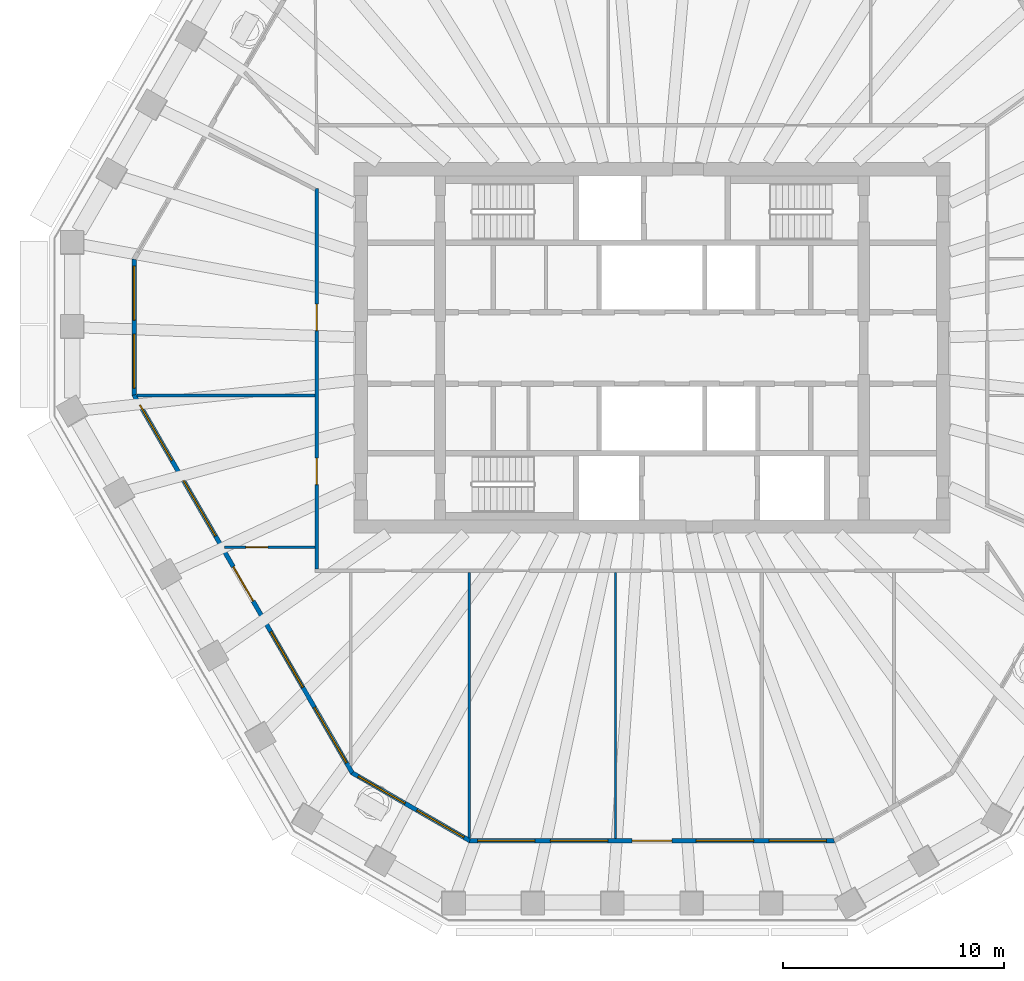
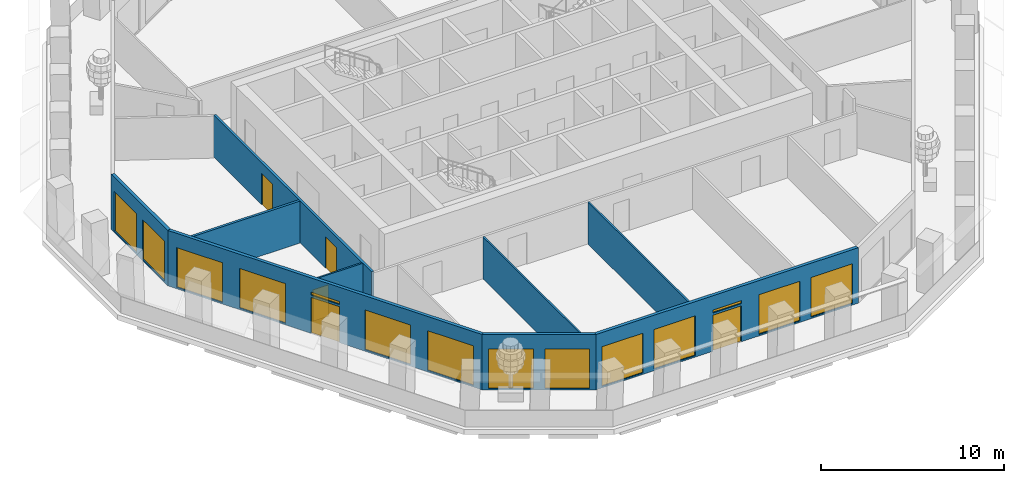
# One storey, part 3 of 12: 14 windows, 9 walls, 5 doors, 19 openings.
"""IFC4 building model written with IfcOpenShell, lengths in metres."""

from ifc_helpers import new_model, si_unit, direction, frame, frame_2d, origin, place, context, subcontext, project, spatial, polyline, rectangle, outline, extrude, material, layer, layer_set, type_object, element, fill, save


model = new_model("IFC4")

# Units and contexts
model_context = context("Model", 3, precision=1e-05, world=origin(), true_north=direction((0.0, 1.0)))
body_context = subcontext(model_context, "Body", "Model", "MODEL_VIEW")
ifc_project = project(units=[si_unit("LENGTHUNIT", "METRE"), si_unit("AREAUNIT", "SQUARE_METRE"), si_unit("VOLUMEUNIT", "CUBIC_METRE"), si_unit("PLANEANGLEUNIT", "RADIAN"), si_unit("MASSUNIT", "GRAM", prefix="KILO")], contexts=[model_context])

# Site, building, storey
site_placement = place(None, origin())
site = spatial("IfcSite", under=ifc_project, at=site_placement, CompositionType="ELEMENT")
building_placement = place(site_placement, origin())
building = spatial("IfcBuilding", under=site, at=building_placement, Name="Frailejon Research Tower", CompositionType="ELEMENT")
storey_placement = place(building_placement, frame((0.0, 0.0, 241.39990234375)))
storey = spatial("IfcBuildingStorey", under=building, at=storey_placement, Name="L52", CompositionType="ELEMENT", Elevation=241.39990234375)

# Wall, openings, doors
ifc_material_1 = material(Name="Gypsum board and masonry partition", Category="masonry")
ifc_layer_1 = layer(ifc_material_1, 0.14990234375)
ifc_layer_set_1 = layer_set([ifc_layer_1], Name="Corridor wall EI 60, gypsum on steel studs 150")
wall_type_1 = type_object("IfcWallType", Name="Corridor wall EI 60, gypsum on steel studs 150", PredefinedType="PARTITIONING", material=ifc_layer_set_1)
wall_1_placement = place(storey_placement, frame((-15.199951171875, -10.02490234375, 0.0), z_axis=(0.0, 0.0, 1.0), x_axis=(0.0, 1.0, 0.0)))
wall_1 = element("IfcWall", 1, at=wall_1_placement, inside=storey, type_object=wall_type_1, Name="T:IW:L52:006", PredefinedType="PARTITIONING", context=body_context, shape_type="SweptSolid", body=[
    extrude(rectangle(XDim=17.25, YDim=0.14990234375, at=frame_2d((8.625, 0.0))), origin(), (0.0, 0.0, 1.0), 2.800048828125),
])
opening_1_placement = place(wall_1_placement, frame((10.80810546875, 0.0, 0.0)))
opening_1 = element("IfcOpeningElement", 2, at=opening_1_placement, cuts=wall_1, Name="Opening D2027", PredefinedType="OPENING", context=body_context, shape_type="SweptSolid", body=[
    extrude(rectangle(XDim=1.199951171875, YDim=2.10009765625, at=frame_2d((0.60009765625, 1.050048828125))), frame((0.0, 0.0849609375, 0.0), z_axis=(0.0, -1.0, 0.0), x_axis=(1.0, 0.0, 0.0)), (0.0, 0.0, 1.0), 0.169921875),
])
opening_2_placement = place(wall_1_placement, frame((3.82861328125, 0.0, 0.0)))
opening_2 = element("IfcOpeningElement", 3, at=opening_2_placement, cuts=wall_1, Name="Opening D2028", PredefinedType="OPENING", context=body_context, shape_type="SweptSolid", body=[
    extrude(rectangle(XDim=1.199951171875, YDim=2.10009765625, at=frame_2d((0.60009765625, 1.050048828125))), frame((0.0, 0.0849609375, 0.0), z_axis=(0.0, -1.0, 0.0), x_axis=(1.0, 0.0, 0.0)), (0.0, 0.0, 1.0), 0.169921875),
])
ifc_material_2 = material(Name="Timber door leaf", Category="wood")
door_type_1 = type_object("IfcDoorType", Name="Door laboratory, timber, vision panel 1200", OperationType="NOTDEFINED", PredefinedType="DOOR", material=ifc_material_2)
door_1_placement = place(opening_1_placement, origin())
door_1 = element("IfcDoor", 4, at=door_1_placement, inside=storey, type_object=door_type_1, Name="D2027", OperationType="DOUBLE_DOOR_SINGLE_SWING", OverallHeight=2.10009765625, OverallWidth=1.199951171875, PredefinedType="DOOR", context=body_context, shape_type="SweptSolid", body=[
    extrude(rectangle(XDim=1.199951171875, YDim=2.10009765625, at=frame_2d((0.60009765625, 1.050048828125))), frame((0.0, 0.02490234375, 0.0), z_axis=(0.0, -1.0, 0.0), x_axis=(1.0, 0.0, 0.0)), (0.0, 0.0, 1.0), 0.050048828125),
])
fill(opening_1, door_1)
ifc_material_3 = material(Name="Timber door leaf", Category="wood")
door_type_2 = type_object("IfcDoorType", Name="Door single leaf, timber, steel frame 1200", OperationType="NOTDEFINED", PredefinedType="DOOR", material=ifc_material_3)
door_2_placement = place(opening_2_placement, origin())
door_2 = element("IfcDoor", 5, at=door_2_placement, inside=storey, type_object=door_type_2, Name="D2028", OperationType="DOUBLE_DOOR_SINGLE_SWING", OverallHeight=2.10009765625, OverallWidth=1.199951171875, PredefinedType="DOOR", context=body_context, shape_type="SweptSolid", body=[
    extrude(rectangle(XDim=1.199951171875, YDim=2.10009765625, at=frame_2d((0.60009765625, 1.050048828125))), frame((0.0, 0.02490234375, 0.0), z_axis=(0.0, -1.0, 0.0), x_axis=(1.0, 0.0, 0.0)), (0.0, 0.0, 1.0), 0.050048828125),
])
fill(opening_2, door_2)

# Wall
ifc_material_4 = material(Name="Gypsum board and masonry partition", Category="masonry")
ifc_layer_2 = layer(ifc_material_4, 0.14990234375)
ifc_layer_set_2 = layer_set([ifc_layer_2], Name="Laboratory partition, blockwork 150")
wall_type_2 = type_object("IfcWallType", Name="Laboratory partition, blockwork 150", PredefinedType="PARTITIONING", material=ifc_layer_set_2)
wall_2_placement = place(storey_placement, frame((-23.347900390625, -2.160400390625, 0.0), z_axis=(0.0, 0.0, 1.0), x_axis=(1.0, 0.0, 0.0)))
element("IfcWall", 6, at=wall_2_placement, inside=storey, type_object=wall_type_2, Name="T:IW:L52:011", PredefinedType="PARTITIONING", context=body_context, shape_type="SweptSolid", body=[
    extrude(rectangle(XDim=8.072998046875, YDim=0.14990234375, at=frame_2d((4.03662109375, 0.0))), origin(), (0.0, 0.0, 1.0), 2.800048828125),
])

# Wall, opening, door
ifc_material_5 = material(Name="Gypsum board and masonry partition", Category="masonry")
ifc_layer_3 = layer(ifc_material_5, 0.10009765625)
ifc_layer_set_3 = layer_set([ifc_layer_3], Name="Partition, gypsum on steel studs 100")
wall_type_3 = type_object("IfcWallType", Name="Partition, gypsum on steel studs 100", PredefinedType="PARTITIONING", material=ifc_layer_set_3)
wall_3_placement = place(storey_placement, frame((-19.38037109375, -9.031982421875, 0.0), z_axis=(0.0, 0.0, 1.0), x_axis=(1.0, 0.0, 0.0)))
wall_3 = element("IfcWall", 7, at=wall_3_placement, inside=storey, type_object=wall_type_3, Name="T:IW:L52:020", PredefinedType="PARTITIONING", context=body_context, shape_type="SweptSolid", body=[
    extrude(rectangle(XDim=4.10546875, YDim=0.10009765625, at=frame_2d((2.052734375, 0.0))), origin(), (0.0, 0.0, 1.0), 2.800048828125),
])
opening_3_placement = place(wall_3_placement, frame((0.97021484375, 0.0, 0.0)))
opening_3 = element("IfcOpeningElement", 8, at=opening_3_placement, cuts=wall_3, Name="Opening D2029", PredefinedType="OPENING", context=body_context, shape_type="SweptSolid", body=[
    extrude(rectangle(XDim=1.0, YDim=2.10009765625, at=frame_2d((0.5, 1.050048828125))), frame((0.0, 0.06005859375, 0.0), z_axis=(0.0, -1.0, 0.0), x_axis=(1.0, 0.0, 0.0)), (0.0, 0.0, 1.0), 0.1201171875),
])
ifc_material_6 = material(Name="Timber door leaf", Category="wood")
door_type_3 = type_object("IfcDoorType", Name="Door single leaf, timber, steel frame 1000", OperationType="NOTDEFINED", PredefinedType="DOOR", material=ifc_material_6)
door_3_placement = place(opening_3_placement, origin())
door_3 = element("IfcDoor", 9, at=door_3_placement, inside=storey, type_object=door_type_3, Name="D2029", OperationType="SINGLE_SWING_LEFT", OverallHeight=2.10009765625, OverallWidth=1.0, PredefinedType="DOOR", context=body_context, shape_type="SweptSolid", body=[
    extrude(rectangle(XDim=1.0, YDim=2.10009765625, at=frame_2d((0.5, 1.050048828125))), frame((0.0, 0.02490234375, 0.0), z_axis=(0.0, -1.0, 0.0), x_axis=(1.0, 0.0, 0.0)), (0.0, 0.0, 1.0), 0.050048828125),
])
fill(opening_3, door_3)

# Walls
wall_4_placement = place(storey_placement, frame((-8.285400390625, -22.2119140625, 0.0), z_axis=(0.0, 0.0, 1.0), x_axis=(0.0, 1.0, 0.0)))
element("IfcWall", 10, at=wall_4_placement, inside=storey, type_object=wall_type_3, Name="T:IW:L52:022", PredefinedType="PARTITIONING", context=body_context, shape_type="SweptSolid", body=[
    extrude(rectangle(XDim=12.036865234375, YDim=0.10009765625, at=frame_2d((6.0185546875, 0.0))), origin(), (0.0, 0.0, 1.0), 2.800048828125),
])
wall_5_placement = place(storey_placement, frame((-1.656982421875, -22.242919921875, 0.0), z_axis=(0.0, 0.0, 1.0), x_axis=(0.0, 1.0, 0.0)))
element("IfcWall", 11, at=wall_5_placement, inside=storey, type_object=wall_type_3, Name="T:IW:L52:023", PredefinedType="PARTITIONING", context=body_context, shape_type="SweptSolid", body=[
    extrude(rectangle(XDim=12.06787109375, YDim=0.10009765625, at=frame_2d((6.033935546875, 0.0))), origin(), (0.0, 0.0, 1.0), 2.800048828125),
])

# Wall, openings, windows
ifc_material_7 = material(Name="Concrete C40/50 precast window wall panel", Category="concrete")
ifc_layer_4 = layer(ifc_material_7, 0.199951171875)
ifc_layer_set_4 = layer_set([ifc_layer_4], Name="Window wall 200")
wall_type_4 = type_object("IfcWallType", Name="Window wall 200", PredefinedType="SOLIDWALL", material=ifc_layer_set_4)
wall_6_placement = place(storey_placement, frame((-23.478759765625, 4.019287109375, 0.0), z_axis=(0.0, 0.0, 1.0), x_axis=(0.0, -1.0, 0.0)))
wall_6 = element("IfcWall", 12, at=wall_6_placement, inside=storey, type_object=wall_type_4, Name="Exterior wall L52", PredefinedType="SOLIDWALL", context=body_context, shape_type="SweptSolid", body=[
    extrude(outline(polyline([(-0.02685546875, -0.10009765625), (1.007568359375, -0.10009765625), (2.0419921875, -0.10009765625), (3.07666015625, -0.10009765625), (4.111083984375, -0.10009765625), (5.1455078125, -0.10009765625), (6.179931640625, -0.10009765625), (6.126220703125, 0.10009765625), (5.109619140625, 0.10009765625), (4.093017578125, 0.10009765625), (3.07666015625, 0.10009765625), (2.06005859375, 0.10009765625), (1.04345703125, 0.10009765625), (0.02685546875, 0.10009765625), (-0.02685546875, -0.10009765625)])), origin(), (0.0, 0.0, 1.0), 3.7001953125),
])
opening_4_placement = place(wall_6_placement, frame((0.313232421875, 0.0, 0.10009765625)))
opening_4 = element("IfcOpeningElement", 13, at=opening_4_placement, cuts=wall_6, Name="Opening W17", PredefinedType="OPENING", context=body_context, shape_type="SweptSolid", body=[
    extrude(rectangle(XDim=2.449951171875, YDim=2.64990234375, at=frame_2d((1.22509765625, 1.324951171875))), frame((0.0, 0.10986328125, 0.0), z_axis=(0.0, -1.0, 0.0), x_axis=(1.0, 0.0, 0.0)), (0.0, 0.0, 1.0), 0.219970703125),
])
opening_5_placement = place(wall_6_placement, frame((3.3896484375, 0.0, 0.10009765625)))
opening_5 = element("IfcOpeningElement", 14, at=opening_5_placement, cuts=wall_6, Name="Opening W17", PredefinedType="OPENING", context=body_context, shape_type="SweptSolid", body=[
    extrude(rectangle(XDim=2.449951171875, YDim=2.64990234375, at=frame_2d((1.22509765625, 1.324951171875))), frame((0.0, 0.10986328125, 0.0), z_axis=(0.0, -1.0, 0.0), x_axis=(1.0, 0.0, 0.0)), (0.0, 0.0, 1.0), 0.219970703125),
])
ifc_material_8 = material(Name="Aluminium framed double glazing", Category="aluminium")
window_type_1 = type_object("IfcWindowType", Name="Window 2450x2650", PartitioningType="SINGLE_PANEL", PredefinedType="WINDOW", material=ifc_material_8)
window_1_placement = place(opening_4_placement, origin())
window_1 = element("IfcWindow", 15, at=window_1_placement, inside=storey, type_object=window_type_1, Name="Window L52", OverallHeight=2.64990234375, OverallWidth=2.449951171875, PartitioningType="SINGLE_PANEL", PredefinedType="WINDOW", context=body_context, shape_type="SweptSolid", body=[
    extrude(rectangle(XDim=2.449951171875, YDim=2.64990234375, at=frame_2d((1.22509765625, 1.324951171875))), frame((0.0, 0.030029296875, 0.0), z_axis=(0.0, -1.0, 0.0), x_axis=(1.0, 0.0, 0.0)), (0.0, 0.0, 1.0), 0.06005859375),
])
fill(opening_4, window_1)
window_2_placement = place(opening_5_placement, origin())
window_2 = element("IfcWindow", 16, at=window_2_placement, inside=storey, type_object=window_type_1, Name="Window L52", OverallHeight=2.64990234375, OverallWidth=2.449951171875, PartitioningType="SINGLE_PANEL", PredefinedType="WINDOW", context=body_context, shape_type="SweptSolid", body=[
    extrude(rectangle(XDim=2.449951171875, YDim=2.64990234375, at=frame_2d((1.22509765625, 1.324951171875))), frame((0.0, 0.030029296875, 0.0), z_axis=(0.0, -1.0, 0.0), x_axis=(1.0, 0.0, 0.0)), (0.0, 0.0, 1.0), 0.06005859375),
])
fill(opening_5, window_2)

# Wall, openings, door, windows
wall_7_placement = place(storey_placement, frame((-23.478759765625, -2.1337890625, 0.0), z_axis=(0.0, 0.0, 1.0), x_axis=(0.500004117472, -0.866023026548, 0.0)))
wall_7 = element("IfcWall", 17, at=wall_7_placement, inside=storey, type_object=wall_type_4, Name="Exterior wall L52", PredefinedType="SOLIDWALL", context=body_context, shape_type="SweptSolid", body=[
    extrude(outline(polyline([(-0.02685546875, -0.10009765625), (1.01708984375, -0.10009765625), (2.061279296875, -0.10009765625), (3.105224609375, -0.10009765625), (4.149169921875, -0.10009765625), (5.193359375, -0.10009765625), (6.2373046875, -0.10009765625), (7.281494140625, -0.10009765625), (8.325439453125, -0.10009765625), (9.369384765625, -0.10009765625), (10.41357421875, -0.10009765625), (11.45751953125, -0.10009765625), (12.50146484375, -0.10009765625), (13.545654296875, -0.10009765625), (14.589599609375, -0.10009765625), (15.6337890625, -0.10009765625), (16.677734375, -0.10009765625), (17.7216796875, -0.10009765625), (18.765869140625, -0.10009765625), (19.809814453125, -0.10009765625), (19.756103515625, 0.10009765625), (18.7177734375, 0.10009765625), (17.679443359375, 0.10009765625), (16.640869140625, 0.10009765625), (15.6025390625, 0.10009765625), (14.564208984375, 0.10009765625), (13.52587890625, 0.10009765625), (12.487548828125, 0.10009765625), (11.448974609375, 0.10009765625), (10.41064453125, 0.10009765625), (9.372314453125, 0.10009765625), (8.333984375, 0.10009765625), (7.29541015625, 0.10009765625), (6.257080078125, 0.10009765625), (5.21875, 0.10009765625), (4.180419921875, 0.10009765625), (3.14208984375, 0.10009765625), (2.103515625, 0.10009765625), (1.065185546875, 0.10009765625), (0.02685546875, 0.10009765625), (-0.02685546875, -0.10009765625)])), origin(), (0.0, 0.0, 1.0), 3.7001953125),
])
opening_6_placement = place(wall_7_placement, frame((0.5283203125, 0.0, 0.10009765625)))
opening_6 = element("IfcOpeningElement", 18, at=opening_6_placement, cuts=wall_7, Name="Opening W20", PredefinedType="OPENING", context=body_context, shape_type="SweptSolid", body=[
    extrude(rectangle(XDim=2.89990234375, YDim=2.64990234375, at=frame_2d((1.449951171875, 1.324951171875))), frame((0.0, 0.10986328125, 0.0), z_axis=(0.0, -1.0, 0.0), x_axis=(1.0, 0.0, 0.0)), (0.0, 0.0, 1.0), 0.219970703125),
])
opening_7_placement = place(wall_7_placement, frame((4.48486328125, 0.0, 0.10009765625)))
opening_7 = element("IfcOpeningElement", 19, at=opening_7_placement, cuts=wall_7, Name="Opening W20", PredefinedType="OPENING", context=body_context, shape_type="SweptSolid", body=[
    extrude(rectangle(XDim=2.89990234375, YDim=2.64990234375, at=frame_2d((1.449951171875, 1.324951171875))), frame((0.0, 0.10986328125, 0.0), z_axis=(0.0, -1.0, 0.0), x_axis=(1.0, 0.0, 0.0)), (0.0, 0.0, 1.0), 0.219970703125),
])
opening_8_placement = place(wall_7_placement, frame((8.991455078125, 0.0, 0.0)))
opening_8 = element("IfcOpeningElement", 20, at=opening_8_placement, cuts=wall_7, Name="Opening LG52-4", PredefinedType="OPENING", context=body_context, shape_type="SweptSolid", body=[
    extrude(rectangle(XDim=1.800048828125, YDim=2.39990234375, at=frame_2d((0.89990234375, 1.199951171875))), frame((0.0, 0.10986328125, 0.0), z_axis=(0.0, -1.0, 0.0), x_axis=(1.0, 0.0, 0.0)), (0.0, 0.0, 1.0), 0.219970703125),
])
opening_9_placement = place(wall_7_placement, frame((8.991455078125, 0.0, 2.550048828125)))
opening_9 = element("IfcOpeningElement", 21, at=opening_9_placement, cuts=wall_7, Name="Opening W19", PredefinedType="OPENING", context=body_context, shape_type="SweptSolid", body=[
    extrude(rectangle(XDim=1.800048828125, YDim=0.199951171875, at=frame_2d((0.89990234375, 0.10009765625))), frame((0.0, 0.10986328125, 0.0), z_axis=(0.0, -1.0, 0.0), x_axis=(1.0, 0.0, 0.0)), (0.0, 0.0, 1.0), 0.219970703125),
])
opening_10_placement = place(wall_7_placement, frame((12.398193359375, 0.0, 0.10009765625)))
opening_10 = element("IfcOpeningElement", 22, at=opening_10_placement, cuts=wall_7, Name="Opening W20", PredefinedType="OPENING", context=body_context, shape_type="SweptSolid", body=[
    extrude(rectangle(XDim=2.89990234375, YDim=2.64990234375, at=frame_2d((1.449951171875, 1.324951171875))), frame((0.0, 0.10986328125, 0.0), z_axis=(0.0, -1.0, 0.0), x_axis=(1.0, 0.0, 0.0)), (0.0, 0.0, 1.0), 0.219970703125),
])
opening_11_placement = place(wall_7_placement, frame((16.354736328125, 0.0, 0.10009765625)))
opening_11 = element("IfcOpeningElement", 23, at=opening_11_placement, cuts=wall_7, Name="Opening W20", PredefinedType="OPENING", context=body_context, shape_type="SweptSolid", body=[
    extrude(rectangle(XDim=2.89990234375, YDim=2.64990234375, at=frame_2d((1.449951171875, 1.324951171875))), frame((0.0, 0.10986328125, 0.0), z_axis=(0.0, -1.0, 0.0), x_axis=(1.0, 0.0, 0.0)), (0.0, 0.0, 1.0), 0.219970703125),
])
ifc_material_9 = material(Name="Aluminium framed glazed door leaf", Category="aluminium")
door_type_4 = type_object("IfcDoorType", Name="Loggia door 1800x2400", OperationType="DOUBLE_DOOR_SINGLE_SWING", PredefinedType="DOOR", material=ifc_material_9)
door_4_placement = place(opening_8_placement, origin())
door_4 = element("IfcDoor", 24, at=door_4_placement, inside=storey, type_object=door_type_4, Name="Door LG52-4", OperationType="DOUBLE_DOOR_SINGLE_SWING", OverallHeight=2.39990234375, OverallWidth=1.800048828125, PredefinedType="DOOR", context=body_context, shape_type="SweptSolid", body=[
    extrude(rectangle(XDim=1.800048828125, YDim=2.39990234375, at=frame_2d((0.89990234375, 1.199951171875))), frame((0.0, 0.02490234375, 0.0), z_axis=(0.0, -1.0, 0.0), x_axis=(1.0, 0.0, 0.0)), (0.0, 0.0, 1.0), 0.050048828125),
])
fill(opening_8, door_4)
ifc_material_10 = material(Name="Aluminium framed double glazing", Category="aluminium")
window_type_2 = type_object("IfcWindowType", Name="Window 1800x200", PartitioningType="SINGLE_PANEL", PredefinedType="WINDOW", material=ifc_material_10)
window_3_placement = place(opening_9_placement, origin())
window_3 = element("IfcWindow", 25, at=window_3_placement, inside=storey, type_object=window_type_2, Name="Window L52", OverallHeight=0.199951171875, OverallWidth=1.800048828125, PartitioningType="SINGLE_PANEL", PredefinedType="WINDOW", context=body_context, shape_type="SweptSolid", body=[
    extrude(rectangle(XDim=1.800048828125, YDim=0.199951171875, at=frame_2d((0.89990234375, 0.10009765625))), frame((0.0, 0.030029296875, 0.0), z_axis=(0.0, -1.0, 0.0), x_axis=(1.0, 0.0, 0.0)), (0.0, 0.0, 1.0), 0.06005859375),
])
fill(opening_9, window_3)
ifc_material_11 = material(Name="Aluminium framed double glazing", Category="aluminium")
window_type_3 = type_object("IfcWindowType", Name="Window 2900x2650", PartitioningType="SINGLE_PANEL", PredefinedType="WINDOW", material=ifc_material_11)
window_4_placement = place(opening_6_placement, origin())
window_4 = element("IfcWindow", 26, at=window_4_placement, inside=storey, type_object=window_type_3, Name="Window L52", OverallHeight=2.64990234375, OverallWidth=2.89990234375, PartitioningType="SINGLE_PANEL", PredefinedType="WINDOW", context=body_context, shape_type="SweptSolid", body=[
    extrude(rectangle(XDim=2.89990234375, YDim=2.64990234375, at=frame_2d((1.449951171875, 1.324951171875))), frame((0.0, 0.030029296875, 0.0), z_axis=(0.0, -1.0, 0.0), x_axis=(1.0, 0.0, 0.0)), (0.0, 0.0, 1.0), 0.06005859375),
])
fill(opening_6, window_4)
window_5_placement = place(opening_7_placement, origin())
window_5 = element("IfcWindow", 27, at=window_5_placement, inside=storey, type_object=window_type_3, Name="Window L52", OverallHeight=2.64990234375, OverallWidth=2.89990234375, PartitioningType="SINGLE_PANEL", PredefinedType="WINDOW", context=body_context, shape_type="SweptSolid", body=[
    extrude(rectangle(XDim=2.89990234375, YDim=2.64990234375, at=frame_2d((1.449951171875, 1.324951171875))), frame((0.0, 0.030029296875, 0.0), z_axis=(0.0, -1.0, 0.0), x_axis=(1.0, 0.0, 0.0)), (0.0, 0.0, 1.0), 0.06005859375),
])
fill(opening_7, window_5)
window_6_placement = place(opening_10_placement, origin())
window_6 = element("IfcWindow", 28, at=window_6_placement, inside=storey, type_object=window_type_3, Name="Window L52", OverallHeight=2.64990234375, OverallWidth=2.89990234375, PartitioningType="SINGLE_PANEL", PredefinedType="WINDOW", context=body_context, shape_type="SweptSolid", body=[
    extrude(rectangle(XDim=2.89990234375, YDim=2.64990234375, at=frame_2d((1.449951171875, 1.324951171875))), frame((0.0, 0.030029296875, 0.0), z_axis=(0.0, -1.0, 0.0), x_axis=(1.0, 0.0, 0.0)), (0.0, 0.0, 1.0), 0.06005859375),
])
fill(opening_10, window_6)
window_7_placement = place(opening_11_placement, origin())
window_7 = element("IfcWindow", 29, at=window_7_placement, inside=storey, type_object=window_type_3, Name="Window L52", OverallHeight=2.64990234375, OverallWidth=2.89990234375, PartitioningType="SINGLE_PANEL", PredefinedType="WINDOW", context=body_context, shape_type="SweptSolid", body=[
    extrude(rectangle(XDim=2.89990234375, YDim=2.64990234375, at=frame_2d((1.449951171875, 1.324951171875))), frame((0.0, 0.030029296875, 0.0), z_axis=(0.0, -1.0, 0.0), x_axis=(1.0, 0.0, 0.0)), (0.0, 0.0, 1.0), 0.06005859375),
])
fill(opening_11, window_7)

# Wall, openings, windows
wall_8_placement = place(storey_placement, frame((-13.587158203125, -19.266357421875, 0.0), z_axis=(0.0, 0.0, 1.0), x_axis=(0.866029647142, -0.499992650217, 0.0)))
wall_8 = element("IfcWall", 30, at=wall_8_placement, inside=storey, type_object=wall_type_4, Name="Exterior wall L52", PredefinedType="SOLIDWALL", context=body_context, shape_type="SweptSolid", body=[
    extrude(outline(polyline([(-0.02685546875, -0.10009765625), (1.007568359375, -0.10009765625), (2.0419921875, -0.10009765625), (3.076416015625, -0.10009765625), (4.11083984375, -0.10009765625), (5.145263671875, -0.10009765625), (6.1796875, -0.10009765625), (6.1259765625, 0.10009765625), (5.109375, 0.10009765625), (4.093017578125, 0.10009765625), (3.076416015625, 0.10009765625), (2.059814453125, 0.10009765625), (1.04345703125, 0.10009765625), (0.02685546875, 0.10009765625), (-0.02685546875, -0.10009765625)])), origin(), (0.0, 0.0, 1.0), 3.7001953125),
])
opening_12_placement = place(wall_8_placement, frame((0.313232421875, 0.0, 0.10009765625)))
opening_12 = element("IfcOpeningElement", 31, at=opening_12_placement, cuts=wall_8, Name="Opening W17", PredefinedType="OPENING", context=body_context, shape_type="SweptSolid", body=[
    extrude(rectangle(XDim=2.449951171875, YDim=2.64990234375, at=frame_2d((1.22509765625, 1.324951171875))), frame((0.0, 0.10986328125, 0.0), z_axis=(0.0, -1.0, 0.0), x_axis=(1.0, 0.0, 0.0)), (0.0, 0.0, 1.0), 0.219970703125),
])
opening_13_placement = place(wall_8_placement, frame((3.3896484375, 0.0, 0.10009765625)))
opening_13 = element("IfcOpeningElement", 32, at=opening_13_placement, cuts=wall_8, Name="Opening W17", PredefinedType="OPENING", context=body_context, shape_type="SweptSolid", body=[
    extrude(rectangle(XDim=2.449951171875, YDim=2.64990234375, at=frame_2d((1.22509765625, 1.324951171875))), frame((0.0, 0.10986328125, 0.0), z_axis=(0.0, -1.0, 0.0), x_axis=(1.0, 0.0, 0.0)), (0.0, 0.0, 1.0), 0.219970703125),
])
window_8_placement = place(opening_12_placement, origin())
window_8 = element("IfcWindow", 33, at=window_8_placement, inside=storey, type_object=window_type_1, Name="Window L52", OverallHeight=2.64990234375, OverallWidth=2.449951171875, PartitioningType="SINGLE_PANEL", PredefinedType="WINDOW", context=body_context, shape_type="SweptSolid", body=[
    extrude(rectangle(XDim=2.449951171875, YDim=2.64990234375, at=frame_2d((1.22509765625, 1.324951171875))), frame((0.0, 0.030029296875, 0.0), z_axis=(0.0, -1.0, 0.0), x_axis=(1.0, 0.0, 0.0)), (0.0, 0.0, 1.0), 0.06005859375),
])
fill(opening_12, window_8)
window_9_placement = place(opening_13_placement, origin())
window_9 = element("IfcWindow", 34, at=window_9_placement, inside=storey, type_object=window_type_1, Name="Window L52", OverallHeight=2.64990234375, OverallWidth=2.449951171875, PartitioningType="SINGLE_PANEL", PredefinedType="WINDOW", context=body_context, shape_type="SweptSolid", body=[
    extrude(rectangle(XDim=2.449951171875, YDim=2.64990234375, at=frame_2d((1.22509765625, 1.324951171875))), frame((0.0, 0.030029296875, 0.0), z_axis=(0.0, -1.0, 0.0), x_axis=(1.0, 0.0, 0.0)), (0.0, 0.0, 1.0), 0.06005859375),
])
fill(opening_13, window_9)

# Wall, openings, door, windows
wall_9_placement = place(storey_placement, frame((-8.258544921875, -22.3427734375, 0.0), z_axis=(0.0, 0.0, 1.0), x_axis=(1.0, 0.0, 0.0)))
wall_9 = element("IfcWall", 35, at=wall_9_placement, inside=storey, type_object=wall_type_4, Name="Exterior wall L52", PredefinedType="SOLIDWALL", context=body_context, shape_type="SweptSolid", body=[
    extrude(outline(polyline([(-0.02685546875, -0.10009765625), (1.0087890625, -0.10009765625), (2.04443359375, -0.10009765625), (3.080078125, -0.10009765625), (4.11572265625, -0.10009765625), (5.151611328125, -0.10009765625), (6.187255859375, -0.10009765625), (7.222900390625, -0.10009765625), (8.258544921875, -0.10009765625), (9.294189453125, -0.10009765625), (10.329833984375, -0.10009765625), (11.365478515625, -0.10009765625), (12.4013671875, -0.10009765625), (13.43701171875, -0.10009765625), (14.47265625, -0.10009765625), (15.50830078125, -0.10009765625), (16.5439453125, -0.10009765625), (16.490234375, 0.10009765625), (15.461181640625, 0.10009765625), (14.432373046875, 0.10009765625), (13.4033203125, 0.10009765625), (12.37451171875, 0.10009765625), (11.345458984375, 0.10009765625), (10.31640625, 0.10009765625), (9.28759765625, 0.10009765625), (8.258544921875, 0.10009765625), (7.2294921875, 0.10009765625), (6.20068359375, 0.10009765625), (5.171630859375, 0.10009765625), (4.142578125, 0.10009765625), (3.11376953125, 0.10009765625), (2.084716796875, 0.10009765625), (1.055908203125, 0.10009765625), (0.02685546875, 0.10009765625), (-0.02685546875, -0.10009765625)])), origin(), (0.0, 0.0, 1.0), 3.7001953125),
])
opening_14_placement = place(wall_9_placement, frame((0.351806640625, 0.0, 0.10009765625)))
opening_14 = element("IfcOpeningElement", 36, at=opening_14_placement, cuts=wall_9, Name="Opening W18", PredefinedType="OPENING", context=body_context, shape_type="SweptSolid", body=[
    extrude(rectangle(XDim=2.60009765625, YDim=2.64990234375, at=frame_2d((1.300048828125, 1.324951171875))), frame((0.0, 0.10986328125, 0.0), z_axis=(0.0, -1.0, 0.0), x_axis=(1.0, 0.0, 0.0)), (0.0, 0.0, 1.0), 0.219970703125),
])
opening_15_placement = place(wall_9_placement, frame((3.6552734375, 0.0, 0.10009765625)))
opening_15 = element("IfcOpeningElement", 37, at=opening_15_placement, cuts=wall_9, Name="Opening W18", PredefinedType="OPENING", context=body_context, shape_type="SweptSolid", body=[
    extrude(rectangle(XDim=2.60009765625, YDim=2.64990234375, at=frame_2d((1.300048828125, 1.324951171875))), frame((0.0, 0.10986328125, 0.0), z_axis=(0.0, -1.0, 0.0), x_axis=(1.0, 0.0, 0.0)), (0.0, 0.0, 1.0), 0.219970703125),
])
opening_16_placement = place(wall_9_placement, frame((7.358642578125, 0.0, 0.0)))
opening_16 = element("IfcOpeningElement", 38, at=opening_16_placement, cuts=wall_9, Name="Opening LG52-5", PredefinedType="OPENING", context=body_context, shape_type="SweptSolid", body=[
    extrude(rectangle(XDim=1.800048828125, YDim=2.39990234375, at=frame_2d((0.89990234375, 1.199951171875))), frame((0.0, 0.10986328125, 0.0), z_axis=(0.0, -1.0, 0.0), x_axis=(1.0, 0.0, 0.0)), (0.0, 0.0, 1.0), 0.219970703125),
])
opening_17_placement = place(wall_9_placement, frame((7.358642578125, 0.0, 2.550048828125)))
opening_17 = element("IfcOpeningElement", 39, at=opening_17_placement, cuts=wall_9, Name="Opening W19", PredefinedType="OPENING", context=body_context, shape_type="SweptSolid", body=[
    extrude(rectangle(XDim=1.800048828125, YDim=0.199951171875, at=frame_2d((0.89990234375, 0.10009765625))), frame((0.0, 0.10986328125, 0.0), z_axis=(0.0, -1.0, 0.0), x_axis=(1.0, 0.0, 0.0)), (0.0, 0.0, 1.0), 0.219970703125),
])
opening_18_placement = place(wall_9_placement, frame((10.261962890625, 0.0, 0.10009765625)))
opening_18 = element("IfcOpeningElement", 40, at=opening_18_placement, cuts=wall_9, Name="Opening W18", PredefinedType="OPENING", context=body_context, shape_type="SweptSolid", body=[
    extrude(rectangle(XDim=2.60009765625, YDim=2.64990234375, at=frame_2d((1.300048828125, 1.324951171875))), frame((0.0, 0.10986328125, 0.0), z_axis=(0.0, -1.0, 0.0), x_axis=(1.0, 0.0, 0.0)), (0.0, 0.0, 1.0), 0.219970703125),
])
opening_19_placement = place(wall_9_placement, frame((13.5654296875, 0.0, 0.10009765625)))
opening_19 = element("IfcOpeningElement", 41, at=opening_19_placement, cuts=wall_9, Name="Opening W18", PredefinedType="OPENING", context=body_context, shape_type="SweptSolid", body=[
    extrude(rectangle(XDim=2.60009765625, YDim=2.64990234375, at=frame_2d((1.300048828125, 1.324951171875))), frame((0.0, 0.10986328125, 0.0), z_axis=(0.0, -1.0, 0.0), x_axis=(1.0, 0.0, 0.0)), (0.0, 0.0, 1.0), 0.219970703125),
])
door_5_placement = place(opening_16_placement, origin())
door_5 = element("IfcDoor", 42, at=door_5_placement, inside=storey, type_object=door_type_4, Name="Door LG52-5", OperationType="DOUBLE_DOOR_SINGLE_SWING", OverallHeight=2.39990234375, OverallWidth=1.800048828125, PredefinedType="DOOR", context=body_context, shape_type="SweptSolid", body=[
    extrude(rectangle(XDim=1.800048828125, YDim=2.39990234375, at=frame_2d((0.89990234375, 1.199951171875))), frame((0.0, 0.02490234375, 0.0), z_axis=(0.0, -1.0, 0.0), x_axis=(1.0, 0.0, 0.0)), (0.0, 0.0, 1.0), 0.050048828125),
])
fill(opening_16, door_5)
window_10_placement = place(opening_17_placement, origin())
window_10 = element("IfcWindow", 43, at=window_10_placement, inside=storey, type_object=window_type_2, Name="Window L52", OverallHeight=0.199951171875, OverallWidth=1.800048828125, PartitioningType="SINGLE_PANEL", PredefinedType="WINDOW", context=body_context, shape_type="SweptSolid", body=[
    extrude(rectangle(XDim=1.800048828125, YDim=0.199951171875, at=frame_2d((0.89990234375, 0.10009765625))), frame((0.0, 0.030029296875, 0.0), z_axis=(0.0, -1.0, 0.0), x_axis=(1.0, 0.0, 0.0)), (0.0, 0.0, 1.0), 0.06005859375),
])
fill(opening_17, window_10)
ifc_material_12 = material(Name="Aluminium framed double glazing", Category="aluminium")
window_type_4 = type_object("IfcWindowType", Name="Window 2600x2650", PartitioningType="SINGLE_PANEL", PredefinedType="WINDOW", material=ifc_material_12)
window_11_placement = place(opening_14_placement, origin())
window_11 = element("IfcWindow", 44, at=window_11_placement, inside=storey, type_object=window_type_4, Name="Window L52", OverallHeight=2.64990234375, OverallWidth=2.60009765625, PartitioningType="SINGLE_PANEL", PredefinedType="WINDOW", context=body_context, shape_type="SweptSolid", body=[
    extrude(rectangle(XDim=2.60009765625, YDim=2.64990234375, at=frame_2d((1.300048828125, 1.324951171875))), frame((0.0, 0.030029296875, 0.0), z_axis=(0.0, -1.0, 0.0), x_axis=(1.0, 0.0, 0.0)), (0.0, 0.0, 1.0), 0.06005859375),
])
fill(opening_14, window_11)
window_12_placement = place(opening_15_placement, origin())
window_12 = element("IfcWindow", 45, at=window_12_placement, inside=storey, type_object=window_type_4, Name="Window L52", OverallHeight=2.64990234375, OverallWidth=2.60009765625, PartitioningType="SINGLE_PANEL", PredefinedType="WINDOW", context=body_context, shape_type="SweptSolid", body=[
    extrude(rectangle(XDim=2.60009765625, YDim=2.64990234375, at=frame_2d((1.300048828125, 1.324951171875))), frame((0.0, 0.030029296875, 0.0), z_axis=(0.0, -1.0, 0.0), x_axis=(1.0, 0.0, 0.0)), (0.0, 0.0, 1.0), 0.06005859375),
])
fill(opening_15, window_12)
window_13_placement = place(opening_18_placement, origin())
window_13 = element("IfcWindow", 46, at=window_13_placement, inside=storey, type_object=window_type_4, Name="Window L52", OverallHeight=2.64990234375, OverallWidth=2.60009765625, PartitioningType="SINGLE_PANEL", PredefinedType="WINDOW", context=body_context, shape_type="SweptSolid", body=[
    extrude(rectangle(XDim=2.60009765625, YDim=2.64990234375, at=frame_2d((1.300048828125, 1.324951171875))), frame((0.0, 0.030029296875, 0.0), z_axis=(0.0, -1.0, 0.0), x_axis=(1.0, 0.0, 0.0)), (0.0, 0.0, 1.0), 0.06005859375),
])
fill(opening_18, window_13)
window_14_placement = place(opening_19_placement, origin())
window_14 = element("IfcWindow", 47, at=window_14_placement, inside=storey, type_object=window_type_4, Name="Window L52", OverallHeight=2.64990234375, OverallWidth=2.60009765625, PartitioningType="SINGLE_PANEL", PredefinedType="WINDOW", context=body_context, shape_type="SweptSolid", body=[
    extrude(rectangle(XDim=2.60009765625, YDim=2.64990234375, at=frame_2d((1.300048828125, 1.324951171875))), frame((0.0, 0.030029296875, 0.0), z_axis=(0.0, -1.0, 0.0), x_axis=(1.0, 0.0, 0.0)), (0.0, 0.0, 1.0), 0.06005859375),
])
fill(opening_19, window_14)

save(model, "model.ifc")
